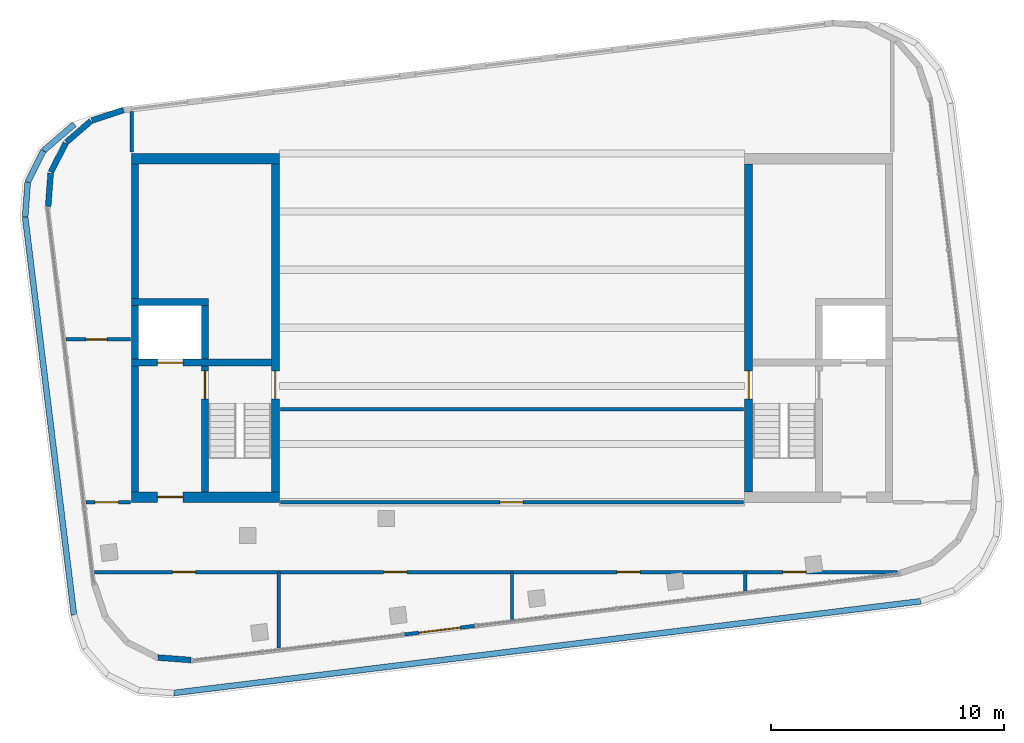
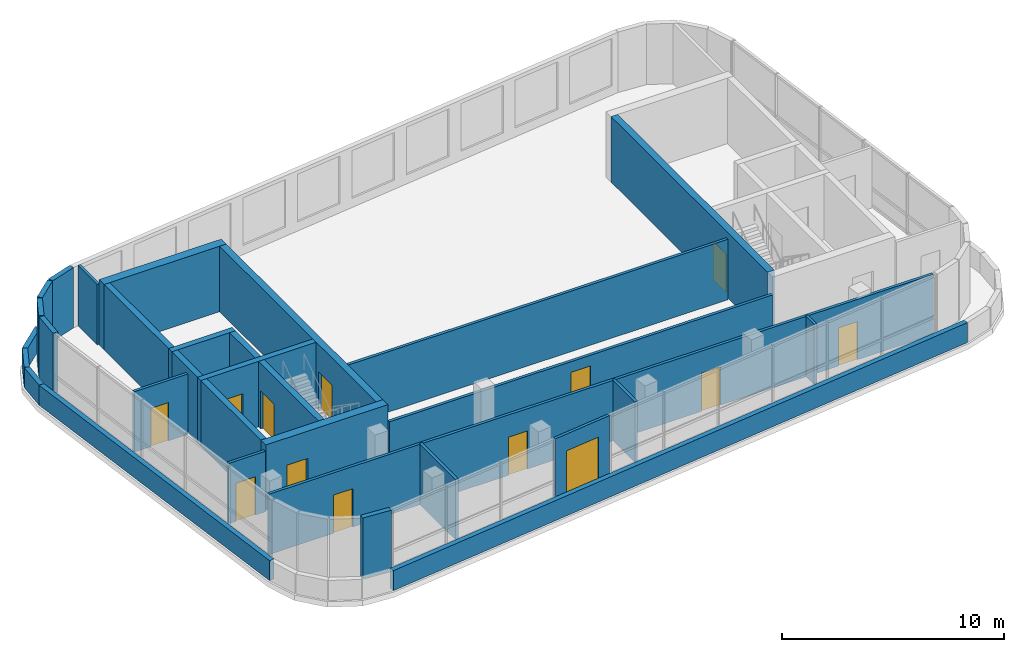
# One storey, part 4 of 7: 31 walls, 13 doors, 13 openings.
"""IFC4 building model written with IfcOpenShell, lengths in metres."""

from ifc_helpers import new_model, si_unit, direction, frame, frame_2d, origin, place, context, subcontext, project, spatial, rectangle, extrude, material, layer, layer_set, type_object, element, fill, save


model = new_model("IFC4")

# Units and contexts
model_context = context("Model", 3, precision=1e-05, world=origin(), true_north=direction((0.0, 1.0)))
body_context = subcontext(model_context, "Body", "Model", "MODEL_VIEW")
ifc_project = project(units=[si_unit("LENGTHUNIT", "METRE"), si_unit("AREAUNIT", "SQUARE_METRE"), si_unit("VOLUMEUNIT", "CUBIC_METRE"), si_unit("PLANEANGLEUNIT", "RADIAN"), si_unit("MASSUNIT", "GRAM", prefix="KILO")], contexts=[model_context])

# Site, building, storey
site_placement = place(None, origin())
site = spatial("IfcSite", under=ifc_project, at=site_placement, CompositionType="ELEMENT")
building_placement = place(site_placement, origin())
building = spatial("IfcBuilding", under=site, at=building_placement, Name="Torana Hotel and Residences", CompositionType="ELEMENT")
storey_placement = place(building_placement, frame((0.0, 0.0, 353.800048828125)))
storey = spatial("IfcBuildingStorey", under=building, at=storey_placement, Name="C3", CompositionType="ELEMENT", Elevation=353.800048828125)

# Walls
ifc_material_1 = material(Name="Concrete C50/60", Category="concrete")
ifc_layer_1 = layer(ifc_material_1, 0.300048828125)
ifc_layer_set_1 = layer_set([ifc_layer_1], Name="CORE WALL 300 C50/60")
wall_type_1 = type_object("IfcWallType", Name="CORE WALL 300 C50/60", PredefinedType="SHEAR", material=ifc_layer_set_1)
wall_1_placement = place(storey_placement, frame((-16.199951171875, -6.25, 0.0), z_axis=(0.0, 0.0, 1.0), x_axis=(0.0, 1.0, 0.0)))
element("IfcWall", 1, at=wall_1_placement, inside=storey, type_object=wall_type_1, Name="Core wall W outer-n", PredefinedType="SHEAR", context=body_context, shape_type="SweptSolid", body=[
    extrude(rectangle(XDim=5.800048828125, YDim=0.300048828125, at=frame_2d((2.89990234375, 0.0))), origin(), (0.0, 0.0, 1.0), 3.599853515625),
])
wall_2_placement = place(storey_placement, frame((-16.199951171875, -14.550048828125, 0.0), z_axis=(0.0, 0.0, 1.0), x_axis=(0.0, 1.0, 0.0)))
element("IfcWall", 2, at=wall_2_placement, inside=storey, type_object=wall_type_1, Name="Core wall W outer-s", PredefinedType="SHEAR", context=body_context, shape_type="SweptSolid", body=[
    extrude(rectangle(XDim=5.400146484375, YDim=0.300048828125, at=frame_2d((2.7001953125, 0.0))), origin(), (0.0, 0.0, 1.0), 3.599853515625),
])

# Wall, opening, door
wall_3_placement = place(storey_placement, frame((-16.35009765625, -9.0, 0.0), z_axis=(0.0, 0.0, 1.0), x_axis=(1.0, 0.0, 0.0)))
wall_3 = element("IfcWall", 3, at=wall_3_placement, inside=storey, type_object=wall_type_1, Name="Core wall W band", PredefinedType="SHEAR", context=body_context, shape_type="SweptSolid", body=[
    extrude(rectangle(XDim=6.0, YDim=0.300048828125, at=frame_2d((3.0, 0.0))), origin(), (0.0, 0.0, 1.0), 3.599853515625),
])
opening_1_placement = place(wall_3_placement, frame((1.10009765625, 0.0, 0.0)))
opening_1 = element("IfcOpeningElement", 4, at=opening_1_placement, cuts=wall_3, Name="Opening LD", PredefinedType="OPENING", context=body_context, shape_type="SweptSolid", body=[
    extrude(rectangle(XDim=1.10009765625, YDim=2.10009765625, at=frame_2d((0.550048828125, 1.050048828125))), frame((0.0, 0.159912109375, 0.0), z_axis=(0.0, -1.0, 0.0), x_axis=(1.0, 0.0, 0.0)), (0.0, 0.0, 1.0), 0.320068359375),
])
ifc_material_2 = material(Name="Stainless steel 316", Category="steel")
door_type_1 = type_object("IfcDoorType", Name="LIFT LANDING DOOR LD 1100x2100", OperationType="DOUBLE_DOOR_SLIDING", PredefinedType="USERDEFINED", material=ifc_material_2)
door_1_placement = place(opening_1_placement, origin())
door_1 = element("IfcDoor", 5, at=door_1_placement, inside=storey, type_object=door_type_1, Name="Lift landing door FF1 C3", ObjectType="LIFT LANDING DOOR", OperationType="DOUBLE_DOOR_SLIDING", OverallHeight=2.10009765625, OverallWidth=1.10009765625, PredefinedType="USERDEFINED", context=body_context, shape_type="SweptSolid", body=[
    extrude(rectangle(XDim=1.10009765625, YDim=2.10009765625, at=frame_2d((0.550048828125, 1.050048828125))), frame((0.0, 0.02490234375, 0.0), z_axis=(0.0, -1.0, 0.0), x_axis=(1.0, 0.0, 0.0)), (0.0, 0.0, 1.0), 0.050048828125),
])
fill(opening_1, door_1)

wall_4_placement = place(storey_placement, frame((-13.199951171875, -14.550048828125, 0.0), z_axis=(0.0, 0.0, 1.0), x_axis=(0.0, 1.0, 0.0)))
wall_4 = element("IfcWall", 6, at=wall_4_placement, inside=storey, type_object=wall_type_1, Name="Core wall W x3.05-band", PredefinedType="SHEAR", context=body_context, shape_type="SweptSolid", body=[
    extrude(rectangle(XDim=5.400146484375, YDim=0.300048828125, at=frame_2d((2.7001953125, 0.0))), origin(), (0.0, 0.0, 1.0), 3.599853515625),
])
opening_2_placement = place(wall_4_placement, frame((4.0, 0.0, 0.0)))
opening_2 = element("IfcOpeningElement", 7, at=opening_2_placement, cuts=wall_4, Name="Opening C3-03", PredefinedType="OPENING", context=body_context, shape_type="SweptSolid", body=[
    extrude(rectangle(XDim=1.199951171875, YDim=2.10009765625, at=frame_2d((0.60009765625, 1.050048828125))), frame((0.0, 0.159912109375, 0.0), z_axis=(0.0, -1.0, 0.0), x_axis=(1.0, 0.0, 0.0)), (0.0, 0.0, 1.0), 0.320068359375),
])
ifc_material_3 = material(Name="Steel S235", Category="steel")
door_type_2 = type_object("IfcDoorType", Name="STAIR FIRE DOOR D3 1200x2100", OperationType="SINGLE_SWING_LEFT", PredefinedType="DOOR", material=ifc_material_3)
door_2_placement = place(opening_2_placement, frame((0.60009765625, 0.0, 0.0), z_axis=(0.0, 0.0, 1.0), x_axis=(-1.0, 0.0, 0.0)))
door_2 = element("IfcDoor", 8, at=door_2_placement, inside=storey, type_object=door_type_2, Name="Stair-A-lobby door C3", OperationType="SINGLE_SWING_RIGHT", OverallHeight=2.10009765625, OverallWidth=1.199951171875, PredefinedType="DOOR", context=body_context, shape_type="SweptSolid", body=[
    extrude(rectangle(XDim=1.199951171875, YDim=2.10009765625, at=frame_2d((0.0, 1.050048828125))), frame((0.0, -0.02490234375, 0.0), z_axis=(0.0, 1.0, 0.0), x_axis=(-1.0, 0.0, 0.0)), (0.0, 0.0, 1.0), 0.050048828125),
])
fill(opening_2, door_2)

# Walls
wall_5_placement = place(storey_placement, frame((-16.35009765625, -6.39990234375, 0.0), z_axis=(0.0, 0.0, 1.0), x_axis=(1.0, 0.0, 0.0)))
element("IfcWall", 9, at=wall_5_placement, inside=storey, type_object=wall_type_1, Name="Core wall W row-S", PredefinedType="SHEAR", context=body_context, shape_type="SweptSolid", body=[
    extrude(rectangle(XDim=3.300048828125, YDim=0.300048828125, at=frame_2d((1.64990234375, 0.0))), origin(), (0.0, 0.0, 1.0), 3.599853515625),
])
for number, where, z_axis, x_axis, name in (
    (10, (-13.199951171875, -8.85009765625, 0.0), (0.0, 0.0, 1.0), (0.0, 1.0, 0.0), "Core wall W x3.05-S"),
    (11, (-16.199951171875, -8.85009765625, 0.0), (0.0, 0.0, 1.0), (0.0, 1.0, 0.0), "Core wall W x6.05-S"),
):
    element("IfcWall", number, at=place(storey_placement, frame(where, z_axis=z_axis, x_axis=x_axis)), inside=storey, type_object=wall_type_1, Name=name, PredefinedType="SHEAR", context=body_context, shape_type="SweptSolid", body=[
        extrude(rectangle(XDim=2.300048828125, YDim=0.300048828125, at=frame_2d((1.14990234375, 0.0))), origin(), (0.0, 0.0, 1.0), 3.599853515625),
    ])

# Wall, opening, door
ifc_material_4 = material(Name="Concrete C50/60", Category="concrete")
ifc_layer_2 = layer(ifc_material_4, 0.35009765625)
ifc_layer_set_2 = layer_set([ifc_layer_2], Name="CORE WALL 350 C50/60")
wall_type_2 = type_object("IfcWallType", Name="CORE WALL 350 C50/60", PredefinedType="SHEAR", material=ifc_layer_set_2)
wall_6_placement = place(storey_placement, frame((-10.175048828125, -14.550048828125, 0.0), z_axis=(0.0, 0.0, 1.0), x_axis=(0.0, 1.0, 0.0)))
wall_6 = element("IfcWall", 12, at=wall_6_placement, inside=storey, type_object=wall_type_2, Name="Core wall W arch", PredefinedType="SHEAR", context=body_context, shape_type="SweptSolid", body=[
    extrude(rectangle(XDim=14.10009765625, YDim=0.35009765625, at=frame_2d((7.050048828125, 0.0))), origin(), (0.0, 0.0, 1.0), 3.599853515625),
])
opening_3_placement = place(wall_6_placement, frame((4.0, 0.0, 0.0)))
opening_3 = element("IfcOpeningElement", 13, at=opening_3_placement, cuts=wall_6, Name="Opening C3-01", PredefinedType="OPENING", context=body_context, shape_type="SweptSolid", body=[
    extrude(rectangle(XDim=1.199951171875, YDim=2.10009765625, at=frame_2d((0.60009765625, 1.050048828125))), frame((0.0, 0.18505859375, 0.0), z_axis=(0.0, -1.0, 0.0), x_axis=(1.0, 0.0, 0.0)), (0.0, 0.0, 1.0), 0.3701171875),
])
door_3_placement = place(opening_3_placement, origin())
door_3 = element("IfcDoor", 14, at=door_3_placement, inside=storey, type_object=door_type_2, Name="Stair-A door C3", OperationType="SINGLE_SWING_LEFT", OverallHeight=2.10009765625, OverallWidth=1.199951171875, PredefinedType="DOOR", context=body_context, shape_type="SweptSolid", body=[
    extrude(rectangle(XDim=1.199951171875, YDim=2.10009765625, at=frame_2d((0.60009765625, 1.050048828125))), frame((0.0, 0.02490234375, 0.0), z_axis=(0.0, -1.0, 0.0), x_axis=(1.0, 0.0, 0.0)), (0.0, 0.0, 1.0), 0.050048828125),
])
fill(opening_3, door_3)

wall_7_placement = place(storey_placement, frame((10.175048828125, -14.550048828125, 0.0), z_axis=(0.0, 0.0, 1.0), x_axis=(0.0, 1.0, 0.0)))
wall_7 = element("IfcWall", 15, at=wall_7_placement, inside=storey, type_object=wall_type_2, Name="Core wall E arch", PredefinedType="SHEAR", context=body_context, shape_type="SweptSolid", body=[
    extrude(rectangle(XDim=14.10009765625, YDim=0.35009765625, at=frame_2d((7.050048828125, 0.0))), origin(), (0.0, 0.0, 1.0), 3.599853515625),
])
opening_4_placement = place(wall_7_placement, frame((4.0, 0.0, 0.0)))
opening_4 = element("IfcOpeningElement", 16, at=opening_4_placement, cuts=wall_7, Name="Opening C3-04", PredefinedType="OPENING", context=body_context, shape_type="SweptSolid", body=[
    extrude(rectangle(XDim=1.199951171875, YDim=2.10009765625, at=frame_2d((0.60009765625, 1.050048828125))), frame((0.0, 0.18505859375, 0.0), z_axis=(0.0, -1.0, 0.0), x_axis=(1.0, 0.0, 0.0)), (0.0, 0.0, 1.0), 0.3701171875),
])
door_4_placement = place(opening_4_placement, frame((0.60009765625, 0.0, 0.0), z_axis=(0.0, 0.0, 1.0), x_axis=(-1.0, 0.0, 0.0)))
door_4 = element("IfcDoor", 17, at=door_4_placement, inside=storey, type_object=door_type_2, Name="Stair-A door C3", OperationType="SINGLE_SWING_RIGHT", OverallHeight=2.10009765625, OverallWidth=1.199951171875, PredefinedType="DOOR", context=body_context, shape_type="SweptSolid", body=[
    extrude(rectangle(XDim=1.199951171875, YDim=2.10009765625, at=frame_2d((0.0, 1.050048828125))), frame((0.0, -0.02490234375, 0.0), z_axis=(0.0, 1.0, 0.0), x_axis=(-1.0, 0.0, 0.0)), (0.0, 0.0, 1.0), 0.050048828125),
])
fill(opening_4, door_4)

# Wall
ifc_material_5 = material(Name="Concrete C50/60", Category="concrete")
ifc_layer_3 = layer(ifc_material_5, 0.449951171875)
ifc_layer_set_3 = layer_set([ifc_layer_3], Name="CORE WALL 450 C50/60")
wall_type_3 = type_object("IfcWallType", Name="CORE WALL 450 C50/60", PredefinedType="SHEAR", material=ifc_layer_set_3)
wall_8_placement = place(storey_placement, frame((-16.35009765625, -0.22509765625, 0.0), z_axis=(0.0, 0.0, 1.0), x_axis=(1.0, 0.0, 0.0)))
element("IfcWall", 18, at=wall_8_placement, inside=storey, type_object=wall_type_3, Name="Core wall W rear", PredefinedType="SHEAR", context=body_context, shape_type="SweptSolid", body=[
    extrude(rectangle(XDim=6.35009765625, YDim=0.449951171875, at=frame_2d((3.175048828125, 0.0))), origin(), (0.0, 0.0, 1.0), 3.599853515625),
])

# Wall, opening, door
wall_9_placement = place(storey_placement, frame((-16.35009765625, -14.77490234375, 0.0), z_axis=(0.0, 0.0, 1.0), x_axis=(1.0, 0.0, 0.0)))
wall_9 = element("IfcWall", 19, at=wall_9_placement, inside=storey, type_object=wall_type_3, Name="Core wall W front", PredefinedType="SHEAR", context=body_context, shape_type="SweptSolid", body=[
    extrude(rectangle(XDim=6.35009765625, YDim=0.449951171875, at=frame_2d((3.175048828125, 0.0))), origin(), (0.0, 0.0, 1.0), 3.599853515625),
])
opening_5_placement = place(wall_9_placement, frame((1.10009765625, 0.0, 0.0)))
opening_5 = element("IfcOpeningElement", 20, at=opening_5_placement, cuts=wall_9, Name="Opening C3-02", PredefinedType="OPENING", context=body_context, shape_type="SweptSolid", body=[
    extrude(rectangle(XDim=1.10009765625, YDim=2.10009765625, at=frame_2d((0.550048828125, 1.050048828125))), frame((0.0, 0.23486328125, 0.0), z_axis=(0.0, -1.0, 0.0), x_axis=(1.0, 0.0, 0.0)), (0.0, 0.0, 1.0), 0.469970703125),
])
ifc_material_6 = material(Name="Steel S235", Category="steel")
door_type_3 = type_object("IfcDoorType", Name="FIRE-FIGHTING LOBBY DOOR D8 1100x2100", OperationType="SINGLE_SWING_LEFT", PredefinedType="DOOR", material=ifc_material_6)
door_5_placement = place(opening_5_placement, origin())
door_5 = element("IfcDoor", 21, at=door_5_placement, inside=storey, type_object=door_type_3, Name="FF-lobby door C3", OperationType="SINGLE_SWING_RIGHT", OverallHeight=2.10009765625, OverallWidth=1.10009765625, PredefinedType="DOOR", context=body_context, shape_type="SweptSolid", body=[
    extrude(rectangle(XDim=1.10009765625, YDim=2.10009765625, at=frame_2d((0.550048828125, 1.050048828125))), frame((0.0, 0.02490234375, 0.0), z_axis=(0.0, -1.0, 0.0), x_axis=(1.0, 0.0, 0.0)), (0.0, 0.0, 1.0), 0.050048828125),
])
fill(opening_5, door_5)

# Walls
ifc_material_7 = material(Name="Aluminium louvre wall", Category="aluminium")
ifc_layer_4 = layer(ifc_material_7, 0.25)
ifc_layer_set_4 = layer_set([ifc_layer_4], Name="EW3 LOUVRE WALL 250")
wall_type_4 = type_object("IfcWallType", Name="EW3 LOUVRE WALL 250", PredefinedType="SOLIDWALL", material=ifc_layer_set_4)
wall_10_placement = place(storey_placement, frame((-16.70556640625, 1.86181640625, 0.0), z_axis=(0.0, 0.0, 1.0), x_axis=(-0.949672495635, -0.313244554677, 0.0)))
element("IfcWall", 22, at=wall_10_placement, inside=storey, type_object=wall_type_4, Name="Louvre wall C3 e0.5", PredefinedType="SOLIDWALL", context=body_context, shape_type="SweptSolid", body=[
    extrude(rectangle(XDim=1.4248046875, YDim=0.25, at=frame_2d((0.71240234375, 0.0))), origin(), (0.0, 0.0, 1.0), 3.320068359375),
])
for number, where, z_axis, x_axis, name in (
    (23, (-18.10107421875, 1.3916015625, 0.0), (0.0, 0.0, 1.0), (-0.757493237795, -0.652843009226, 0.0), "Louvre wall C3 e0.6"),
    (24, (-19.19140625, 0.439453125, 0.0), (0.0, 0.0, 1.0), (-0.450002129545, -0.893027481887, 0.0), "Louvre wall C3 e0.7"),
):
    element("IfcWall", number, at=place(storey_placement, frame(where, z_axis=z_axis, x_axis=x_axis)), inside=storey, type_object=wall_type_4, Name=name, PredefinedType="SOLIDWALL", context=body_context, shape_type="SweptSolid", body=[
        extrude(rectangle(XDim=1.399658203125, YDim=0.25, at=frame_2d((0.69970703125, 0.0))), origin(), (0.0, 0.0, 1.0), 3.320068359375),
    ])
for number, where, z_axis, x_axis, name in (
    (25, (-19.83447265625, -0.857421875, 0.0), (0.0, 0.0, 1.0), (-0.074023164536, -0.997256522221, 0.0), "Louvre wall C3 e0.8"),
    (26, (-15.22314453125, -21.677734375, 0.0), (0.0, 0.0, 1.0), (0.997243858757, -0.07419357231, 0.0), "Louvre wall C3 e0.13"),
):
    element("IfcWall", number, at=place(storey_placement, frame(where, z_axis=z_axis, x_axis=x_axis)), inside=storey, type_object=wall_type_4, Name=name, PredefinedType="SOLIDWALL", context=body_context, shape_type="SweptSolid", body=[
        extrude(rectangle(XDim=1.4248046875, YDim=0.25, at=frame_2d((0.71240234375, 0.0))), origin(), (0.0, 0.0, 1.0), 3.320068359375),
    ])

# Wall, openings, doors
ifc_material_8 = material(Name="Gypsum plaster")
ifc_layer_5 = layer(ifc_material_8, 0.014892578125, Name="Plaster", Category="finish")
ifc_material_9 = material(Name="Concrete blockwork", Category="masonry")
ifc_layer_6 = layer(ifc_material_9, 0.1201171875, Name="Blockwork", Category="structure")
ifc_layer_7 = layer(ifc_material_8, 0.014892578125, Name="Plaster", Category="finish")
ifc_layer_set_5 = layer_set([ifc_layer_5, ifc_layer_6, ifc_layer_7], Name="FIRE PARTITION 150 BLOCKWORK")
wall_type_5 = type_object("IfcWallType", Name="FIRE PARTITION 150 BLOCKWORK", PredefinedType="PARTITIONING", material=ifc_layer_set_5)
wall_11_placement = place(storey_placement, frame((-17.956787109375, -18.0, 0.0), z_axis=(0.0, 0.0, 1.0), x_axis=(1.0, 0.0, 0.0)))
wall_11 = element("IfcWall", 27, at=wall_11_placement, inside=storey, type_object=wall_type_5, Name="Partition C3", PredefinedType="PARTITIONING", context=body_context, shape_type="SweptSolid", body=[
    extrude(rectangle(XDim=34.53759765625, YDim=0.14990234375, at=frame_2d((17.268798828125, 0.0))), origin(), (0.0, 0.0, 1.0), 3.320068359375),
])
opening_6_placement = place(wall_11_placement, frame((3.353759765625, 0.0, 0.0)))
opening_6 = element("IfcOpeningElement", 28, at=opening_6_placement, cuts=wall_11, Name="Opening C3-08", PredefinedType="OPENING", context=body_context, shape_type="SweptSolid", body=[
    extrude(rectangle(XDim=1.0, YDim=2.10009765625, at=frame_2d((0.5, 1.050048828125))), frame((0.0, 0.0849609375, 0.0), z_axis=(0.0, -1.0, 0.0), x_axis=(1.0, 0.0, 0.0)), (0.0, 0.0, 1.0), 0.169921875),
])
opening_7_placement = place(wall_11_placement, frame((12.436767578125, 0.0, 0.0)))
opening_7 = element("IfcOpeningElement", 29, at=opening_7_placement, cuts=wall_11, Name="Opening C3-09", PredefinedType="OPENING", context=body_context, shape_type="SweptSolid", body=[
    extrude(rectangle(XDim=1.0, YDim=2.10009765625, at=frame_2d((0.5, 1.050048828125))), frame((0.0, 0.0849609375, 0.0), z_axis=(0.0, -1.0, 0.0), x_axis=(1.0, 0.0, 0.0)), (0.0, 0.0, 1.0), 0.169921875),
])
opening_8_placement = place(wall_11_placement, frame((22.4697265625, 0.0, 0.0)))
opening_8 = element("IfcOpeningElement", 30, at=opening_8_placement, cuts=wall_11, Name="Opening C3-10", PredefinedType="OPENING", context=body_context, shape_type="SweptSolid", body=[
    extrude(rectangle(XDim=1.0, YDim=2.10009765625, at=frame_2d((0.5, 1.050048828125))), frame((0.0, 0.0849609375, 0.0), z_axis=(0.0, -1.0, 0.0), x_axis=(1.0, 0.0, 0.0)), (0.0, 0.0, 1.0), 0.169921875),
])
opening_9_placement = place(wall_11_placement, frame((29.60009765625, 0.0, 0.0)))
opening_9 = element("IfcOpeningElement", 31, at=opening_9_placement, cuts=wall_11, Name="Opening C3-11", PredefinedType="OPENING", context=body_context, shape_type="SweptSolid", body=[
    extrude(rectangle(XDim=1.0, YDim=2.10009765625, at=frame_2d((0.5, 1.050048828125))), frame((0.0, 0.0849609375, 0.0), z_axis=(0.0, -1.0, 0.0), x_axis=(1.0, 0.0, 0.0)), (0.0, 0.0, 1.0), 0.169921875),
])
ifc_material_10 = material(Name="Steel S235", Category="steel")
door_type_4 = type_object("IfcDoorType", Name="ENTRY FIRE DOOR D6 1000x2100", OperationType="SINGLE_SWING_LEFT", PredefinedType="DOOR", material=ifc_material_10)
door_6_placement = place(opening_6_placement, frame((0.5, 0.0, 0.0), z_axis=(0.0, 0.0, 1.0), x_axis=(-1.0, 0.0, 0.0)))
door_6 = element("IfcDoor", 32, at=door_6_placement, inside=storey, type_object=door_type_4, Name="Door C3", OperationType="SINGLE_SWING_LEFT", OverallHeight=2.10009765625, OverallWidth=1.0, PredefinedType="DOOR", context=body_context, shape_type="SweptSolid", body=[
    extrude(rectangle(XDim=1.0, YDim=2.10009765625, at=frame_2d((0.0, 1.050048828125))), frame((0.0, -0.02490234375, 0.0), z_axis=(0.0, 1.0, 0.0), x_axis=(-1.0, 0.0, 0.0)), (0.0, 0.0, 1.0), 0.050048828125),
])
fill(opening_6, door_6)
door_7_placement = place(opening_7_placement, frame((0.5, 0.0, 0.0), z_axis=(0.0, 0.0, 1.0), x_axis=(-1.0, 0.0, 0.0)))
door_7 = element("IfcDoor", 33, at=door_7_placement, inside=storey, type_object=door_type_4, Name="Door C3", OperationType="SINGLE_SWING_LEFT", OverallHeight=2.10009765625, OverallWidth=1.0, PredefinedType="DOOR", context=body_context, shape_type="SweptSolid", body=[
    extrude(rectangle(XDim=1.0, YDim=2.10009765625, at=frame_2d((0.0, 1.050048828125))), frame((0.0, -0.02490234375, 0.0), z_axis=(0.0, 1.0, 0.0), x_axis=(-1.0, 0.0, 0.0)), (0.0, 0.0, 1.0), 0.050048828125),
])
fill(opening_7, door_7)
door_8_placement = place(opening_8_placement, frame((0.5, 0.0, 0.0), z_axis=(0.0, 0.0, 1.0), x_axis=(-1.0, 0.0, 0.0)))
door_8 = element("IfcDoor", 34, at=door_8_placement, inside=storey, type_object=door_type_4, Name="Door C3", OperationType="SINGLE_SWING_RIGHT", OverallHeight=2.10009765625, OverallWidth=1.0, PredefinedType="DOOR", context=body_context, shape_type="SweptSolid", body=[
    extrude(rectangle(XDim=1.0, YDim=2.10009765625, at=frame_2d((0.0, 1.050048828125))), frame((0.0, -0.02490234375, 0.0), z_axis=(0.0, 1.0, 0.0), x_axis=(-1.0, 0.0, 0.0)), (0.0, 0.0, 1.0), 0.050048828125),
])
fill(opening_8, door_8)
door_9_placement = place(opening_9_placement, frame((0.5, 0.0, 0.0), z_axis=(0.0, 0.0, 1.0), x_axis=(-1.0, 0.0, 0.0)))
door_9 = element("IfcDoor", 35, at=door_9_placement, inside=storey, type_object=door_type_4, Name="Door C3", OperationType="SINGLE_SWING_LEFT", OverallHeight=2.10009765625, OverallWidth=1.0, PredefinedType="DOOR", context=body_context, shape_type="SweptSolid", body=[
    extrude(rectangle(XDim=1.0, YDim=2.10009765625, at=frame_2d((0.0, 1.050048828125))), frame((0.0, -0.02490234375, 0.0), z_axis=(0.0, 1.0, 0.0), x_axis=(-1.0, 0.0, 0.0)), (0.0, 0.0, 1.0), 0.050048828125),
])
fill(opening_9, door_9)

# Wall, opening, door
wall_12_placement = place(storey_placement, frame((-18.324951171875, -15.0, 0.0), z_axis=(0.0, 0.0, 1.0), x_axis=(1.0, 0.0, 0.0)))
wall_12 = element("IfcWall", 36, at=wall_12_placement, inside=storey, type_object=wall_type_5, Name="Partition C3", PredefinedType="PARTITIONING", context=body_context, shape_type="SweptSolid", body=[
    extrude(rectangle(XDim=1.925048828125, YDim=0.14990234375, at=frame_2d((0.96240234375, 0.0))), origin(), (0.0, 0.0, 1.0), 3.320068359375),
])
opening_10_placement = place(wall_12_placement, frame((0.39697265625, 0.0, 0.0)))
opening_10 = element("IfcOpeningElement", 37, at=opening_10_placement, cuts=wall_12, Name="Opening C3-12", PredefinedType="OPENING", context=body_context, shape_type="SweptSolid", body=[
    extrude(rectangle(XDim=1.0, YDim=2.10009765625, at=frame_2d((0.5, 1.050048828125))), frame((0.0, 0.0849609375, 0.0), z_axis=(0.0, -1.0, 0.0), x_axis=(1.0, 0.0, 0.0)), (0.0, 0.0, 1.0), 0.169921875),
])
ifc_material_11 = material(Name="Steel S235", Category="steel")
door_type_5 = type_object("IfcDoorType", Name="CORE ROOM FIRE DOOR D14 1000x2100", OperationType="SINGLE_SWING_LEFT", PredefinedType="DOOR", material=ifc_material_11)
door_10_placement = place(opening_10_placement, origin())
door_10 = element("IfcDoor", 38, at=door_10_placement, inside=storey, type_object=door_type_5, Name="Door C3", OperationType="SINGLE_SWING_RIGHT", OverallHeight=2.10009765625, OverallWidth=1.0, PredefinedType="DOOR", context=body_context, shape_type="SweptSolid", body=[
    extrude(rectangle(XDim=1.0, YDim=2.10009765625, at=frame_2d((0.5, 1.050048828125))), frame((0.0, 0.02490234375, 0.0), z_axis=(0.0, -1.0, 0.0), x_axis=(1.0, 0.0, 0.0)), (0.0, 0.0, 1.0), 0.050048828125),
])
fill(opening_10, door_10)

wall_13_placement = place(storey_placement, frame((-9.949951171875, -15.0, 0.0), z_axis=(0.0, 0.0, 1.0), x_axis=(1.0, 0.0, 0.0)))
wall_13 = element("IfcWall", 39, at=wall_13_placement, inside=storey, type_object=wall_type_5, Name="Partition C3", PredefinedType="PARTITIONING", context=body_context, shape_type="SweptSolid", body=[
    extrude(rectangle(XDim=19.89990234375, YDim=0.14990234375, at=frame_2d((9.949951171875, 0.0))), origin(), (0.0, 0.0, 1.0), 2.683837890625),
])
opening_11_placement = place(wall_13_placement, frame((9.429931640625, 0.0, 0.0)))
opening_11 = element("IfcOpeningElement", 40, at=opening_11_placement, cuts=wall_13, Name="Opening C3-07", PredefinedType="OPENING", context=body_context, shape_type="SweptSolid", body=[
    extrude(rectangle(XDim=1.0, YDim=2.10009765625, at=frame_2d((0.5, 1.050048828125))), frame((0.0, 0.0849609375, 0.0), z_axis=(0.0, -1.0, 0.0), x_axis=(1.0, 0.0, 0.0)), (0.0, 0.0, 1.0), 0.169921875),
])
door_11_placement = place(opening_11_placement, origin())
door_11 = element("IfcDoor", 41, at=door_11_placement, inside=storey, type_object=door_type_4, Name="Door C3", OperationType="SINGLE_SWING_RIGHT", OverallHeight=2.10009765625, OverallWidth=1.0, PredefinedType="DOOR", context=body_context, shape_type="SweptSolid", body=[
    extrude(rectangle(XDim=1.0, YDim=2.10009765625, at=frame_2d((0.5, 1.050048828125))), frame((0.0, 0.02490234375, 0.0), z_axis=(0.0, -1.0, 0.0), x_axis=(1.0, 0.0, 0.0)), (0.0, 0.0, 1.0), 0.050048828125),
])
fill(opening_11, door_11)

# Wall
wall_14_placement = place(storey_placement, frame((-9.949951171875, -11.0, 0.0), z_axis=(0.0, 0.0, 1.0), x_axis=(1.0, 0.0, 0.0)))
element("IfcWall", 42, at=wall_14_placement, inside=storey, type_object=wall_type_5, Name="Partition C3", PredefinedType="PARTITIONING", context=body_context, shape_type="SweptSolid", body=[
    extrude(rectangle(XDim=19.89990234375, YDim=0.14990234375, at=frame_2d((9.949951171875, 0.0))), origin(), (0.0, 0.0, 1.0), 3.320068359375),
])

# Wall, opening, door
ifc_material_12 = material(Name="Dark glass screen in aluminium frame", Category="aluminium")
ifc_layer_8 = layer(ifc_material_12, 0.14990234375)
ifc_layer_set_6 = layer_set([ifc_layer_8], Name="GS1 GLAZED DOOR SCREEN 150")
wall_type_6 = type_object("IfcWallType", Name="GS1 GLAZED DOOR SCREEN 150", PredefinedType="USERDEFINED", material=ifc_layer_set_6)
wall_15_placement = place(storey_placement, frame((-4.636962890625, -20.685791015625, 0.0), z_axis=(0.0, 0.0, 1.0), x_axis=(0.992544806081, 0.121880301612, 0.0)))
wall_15 = element("IfcWall", 43, at=wall_15_placement, inside=storey, type_object=wall_type_6, Name="Glazed door screen C3", ObjectType="GLAZED SCREEN", PredefinedType="USERDEFINED", context=body_context, shape_type="SweptSolid", body=[
    extrude(rectangle(XDim=3.06884765625, YDim=0.14990234375, at=frame_2d((1.534423828125, 0.0))), origin(), (0.0, 0.0, 1.0), 3.320068359375),
])
opening_12_placement = place(wall_15_placement, frame((0.634521484375, 0.0, 0.0)))
opening_12 = element("IfcOpeningElement", 44, at=opening_12_placement, cuts=wall_15, Name="Opening C3-E01", PredefinedType="OPENING", context=body_context, shape_type="SweptSolid", body=[
    extrude(rectangle(XDim=1.800048828125, YDim=2.39990234375, at=frame_2d((0.89990234375, 1.199951171875))), frame((0.0, 0.0849609375, 0.0), z_axis=(0.0, -1.0, 0.0), x_axis=(1.0, 0.0, 0.0)), (0.0, 0.0, 1.0), 0.169921875),
])
ifc_material_13 = material(Name="Dark glass in black aluminium frame", Category="aluminium")
door_type_6 = type_object("IfcDoorType", Name="DE2 TERRACE DOOR 1800x2400", OperationType="DOUBLE_DOOR_SINGLE_SWING", PredefinedType="DOOR", material=ifc_material_13)
door_12_placement = place(opening_12_placement, origin())
door_12 = element("IfcDoor", 45, at=door_12_placement, inside=storey, type_object=door_type_6, Name="Terrace door C3", OperationType="DOUBLE_DOOR_SINGLE_SWING", OverallHeight=2.39990234375, OverallWidth=1.800048828125, PredefinedType="DOOR", context=body_context, shape_type="SweptSolid", body=[
    extrude(rectangle(XDim=1.800048828125, YDim=2.39990234375, at=frame_2d((0.89990234375, 1.199951171875))), frame((0.0, 0.02490234375, 0.0), z_axis=(0.0, -1.0, 0.0), x_axis=(1.0, 0.0, 0.0)), (0.0, 0.0, 1.0), 0.050048828125),
])
fill(opening_12, door_12)

# Walls
ifc_material_14 = material(Name="Gypsum plasterboard")
ifc_layer_9 = layer(ifc_material_14, 0.012451171875, Name="Plasterboard", Category="finish")
ifc_layer_10 = layer(ifc_material_14, 0.012451171875, Name="Plasterboard", Category="finish")
ifc_material_15 = material(Name="Steel S280GD", Category="steel")
ifc_layer_11 = layer(ifc_material_15, 0.10009765625, Name="Steel studs with mineral wool", Category="insulation")
ifc_layer_12 = layer(ifc_material_14, 0.012451171875, Name="Plasterboard", Category="finish")
ifc_layer_13 = layer(ifc_material_14, 0.012451171875, Name="Plasterboard", Category="finish")
ifc_layer_set_7 = layer_set([ifc_layer_9, ifc_layer_10, ifc_layer_11, ifc_layer_12, ifc_layer_13], Name="PARTITION 150 PLASTERBOARD")
wall_type_7 = type_object("IfcWallType", Name="PARTITION 150 PLASTERBOARD", PredefinedType="PARTITIONING", material=ifc_layer_set_7)
wall_16_placement = place(storey_placement, frame((10.032958984375, -18.803955078125, 0.0), z_axis=(0.0, 0.0, 1.0), x_axis=(0.0, 1.0, 0.0)))
element("IfcWall", 46, at=wall_16_placement, inside=storey, type_object=wall_type_7, Name="Partition C3", PredefinedType="PARTITIONING", context=body_context, shape_type="SweptSolid", body=[
    extrude(rectangle(XDim=0.803955078125, YDim=0.14990234375, at=frame_2d((0.40185546875, 0.0))), origin(), (0.0, 0.0, 1.0), 3.320068359375),
])
wall_17_placement = place(storey_placement, frame((0.0, -20.035888671875, 0.0), z_axis=(0.0, 0.0, 1.0), x_axis=(0.0, 1.0, 0.0)))
element("IfcWall", 47, at=wall_17_placement, inside=storey, type_object=wall_type_7, Name="Partition C3", PredefinedType="PARTITIONING", context=body_context, shape_type="SweptSolid", body=[
    extrude(rectangle(XDim=2.035888671875, YDim=0.14990234375, at=frame_2d((1.01806640625, 0.0))), origin(), (0.0, 0.0, 1.0), 3.320068359375),
])
wall_18_placement = place(storey_placement, frame((-10.032958984375, -21.267578125, 0.0), z_axis=(0.0, 0.0, 1.0), x_axis=(0.0, 1.0, 0.0)))
element("IfcWall", 48, at=wall_18_placement, inside=storey, type_object=wall_type_7, Name="Partition C3", PredefinedType="PARTITIONING", context=body_context, shape_type="SweptSolid", body=[
    extrude(rectangle(XDim=3.267578125, YDim=0.14990234375, at=frame_2d((1.6337890625, 0.0))), origin(), (0.0, 0.0, 1.0), 3.320068359375),
])
wall_19_placement = place(storey_placement, frame((-16.35009765625, 0.050048828125, 0.0), z_axis=(0.0, 0.0, 1.0), x_axis=(0.0, 1.0, 0.0)))
element("IfcWall", 49, at=wall_19_placement, inside=storey, type_object=wall_type_7, Name="Partition C3", PredefinedType="PARTITIONING", context=body_context, shape_type="SweptSolid", body=[
    extrude(rectangle(XDim=1.741943359375, YDim=0.14990234375, at=frame_2d((0.87109375, 0.0))), origin(), (0.0, 0.0, 1.0), 3.320068359375),
])

# Wall, opening, door
wall_20_placement = place(storey_placement, frame((-19.1845703125, -8.0, 0.0), z_axis=(0.0, 0.0, 1.0), x_axis=(1.0, 0.0, 0.0)))
wall_20 = element("IfcWall", 50, at=wall_20_placement, inside=storey, type_object=wall_type_7, Name="Partition C3", PredefinedType="PARTITIONING", context=body_context, shape_type="SweptSolid", body=[
    extrude(rectangle(XDim=2.78466796875, YDim=0.14990234375, at=frame_2d((1.392333984375, 0.0))), origin(), (0.0, 0.0, 1.0), 3.320068359375),
])
opening_13_placement = place(wall_20_placement, frame((0.87646484375, 0.0, 0.0)))
opening_13 = element("IfcOpeningElement", 51, at=opening_13_placement, cuts=wall_20, Name="Opening C3-13", PredefinedType="OPENING", context=body_context, shape_type="SweptSolid", body=[
    extrude(rectangle(XDim=0.89990234375, YDim=2.10009765625, at=frame_2d((0.449951171875, 1.050048828125))), frame((0.0, 0.0849609375, 0.0), z_axis=(0.0, -1.0, 0.0), x_axis=(1.0, 0.0, 0.0)), (0.0, 0.0, 1.0), 0.169921875),
])
ifc_material_16 = material(Name="Timber door, oiled ash", Category="wood")
door_type_7 = type_object("IfcDoorType", Name="ROOM DOOR D7 900x2100", OperationType="SINGLE_SWING_LEFT", PredefinedType="DOOR", material=ifc_material_16)
door_13_placement = place(opening_13_placement, origin())
door_13 = element("IfcDoor", 52, at=door_13_placement, inside=storey, type_object=door_type_7, Name="Door C3", OperationType="SINGLE_SWING_RIGHT", OverallHeight=2.10009765625, OverallWidth=0.89990234375, PredefinedType="DOOR", context=body_context, shape_type="SweptSolid", body=[
    extrude(rectangle(XDim=0.89990234375, YDim=2.10009765625, at=frame_2d((0.449951171875, 1.050048828125))), frame((0.0, 0.02490234375, 0.0), z_axis=(0.0, -1.0, 0.0), x_axis=(1.0, 0.0, 0.0)), (0.0, 0.0, 1.0), 0.050048828125),
])
fill(opening_13, door_13)

# Walls
ifc_material_17 = material(Name="Aluminium coping with drip", Category="aluminium")
ifc_layer_14 = layer(ifc_material_17, 0.0029296875, Name="Coping flashing", Category="flashing")
ifc_material_18 = material(Name="Concrete C40/50 precast", Category="concrete")
ifc_layer_15 = layer(ifc_material_18, 0.00390625, Name="Cladding", Category="cladding")
ifc_material_19 = material(Name="Concrete C40/50", Category="concrete")
ifc_layer_16 = layer(ifc_material_19, 0.199951171875, Name="Wall", Category="structure")
ifc_material_20 = material(Name="Mineral wool insulation")
ifc_layer_17 = layer(ifc_material_20, 0.0400390625, Name="Insulation", Category="insulation")
ifc_material_21 = material(Name="Waterproofing upstand")
ifc_layer_18 = layer(ifc_material_21, 0.0029296875, Name="Upstand membrane", Category="membrane")
ifc_layer_set_8 = layer_set([ifc_layer_14, ifc_layer_15, ifc_layer_16, ifc_layer_17, ifc_layer_18], Name="PP1 PARAPET 250")
wall_type_8 = type_object("IfcWallType", Name="PP1 PARAPET 250", PredefinedType="PARAPET", material=ifc_layer_set_8)
wall_21_placement = place(storey_placement, frame((17.577392578125, -19.255615234375, 0.0), z_axis=(0.0, 0.0, 1.0), x_axis=(-0.992546786004, -0.121864176827, 0.0)))
element("IfcWall", 53, at=wall_21_placement, inside=storey, type_object=wall_type_8, Name="Roof parapet C3 9", PredefinedType="PARAPET", context=body_context, shape_type="SweptSolid", body=[
    extrude(rectangle(XDim=32.356689453125, YDim=0.25, at=frame_2d((16.17822265625, 0.0))), origin(), (0.0, 0.0, 1.0), 1.099853515625),
])
wall_22_placement = place(storey_placement, frame((-18.830322265625, -19.84521484375, 0.0), z_axis=(0.0, 0.0, 1.0), x_axis=(-0.121865842614, 0.992546581478, 0.0)))
element("IfcWall", 54, at=wall_22_placement, inside=storey, type_object=wall_type_8, Name="Roof parapet C3 14", PredefinedType="PARAPET", context=body_context, shape_type="SweptSolid", body=[
    extrude(rectangle(XDim=17.23681640625, YDim=0.25, at=frame_2d((8.618408203125, 0.0))), origin(), (0.0, 0.0, 1.0), 1.099853515625),
])
wall_23_placement = place(storey_placement, frame((-20.930908203125, -2.73681640625, 0.0), z_axis=(0.0, 0.0, 1.0), x_axis=(0.074144794539, 0.997247486556, 0.0)))
element("IfcWall", 55, at=wall_23_placement, inside=storey, type_object=wall_type_8, Name="Roof parapet C3 15", PredefinedType="PARAPET", context=body_context, shape_type="SweptSolid", body=[
    extrude(rectangle(XDim=1.5146484375, YDim=0.25, at=frame_2d((0.75732421875, 0.0))), origin(), (0.0, 0.0, 1.0), 1.099853515625),
])
wall_24_placement = place(storey_placement, frame((-20.818603515625, -1.226318359375, 0.0), z_axis=(0.0, 0.0, 1.0), x_axis=(0.450089760611, 0.892983318653, 0.0)))
element("IfcWall", 56, at=wall_24_placement, inside=storey, type_object=wall_type_8, Name="Roof parapet C3 16", PredefinedType="PARAPET", context=body_context, shape_type="SweptSolid", body=[
    extrude(rectangle(XDim=1.49267578125, YDim=0.25, at=frame_2d((0.746337890625, 0.0))), origin(), (0.0, 0.0, 1.0), 1.099853515625),
])
wall_25_placement = place(storey_placement, frame((-20.146728515625, 0.106689453125, 0.0), z_axis=(0.0, 0.0, 1.0), x_axis=(0.757566389355, 0.65275812191, 0.0)))
element("IfcWall", 57, at=wall_25_placement, inside=storey, type_object=wall_type_8, Name="Roof parapet C3 17", PredefinedType="PARAPET", context=body_context, shape_type="SweptSolid", body=[
    extrude(rectangle(XDim=1.75634765625, YDim=0.25, at=frame_2d((0.878173828125, 0.0))), origin(), (0.0, 0.0, 1.0), 1.099853515625),
])

save(model, "model.ifc")
